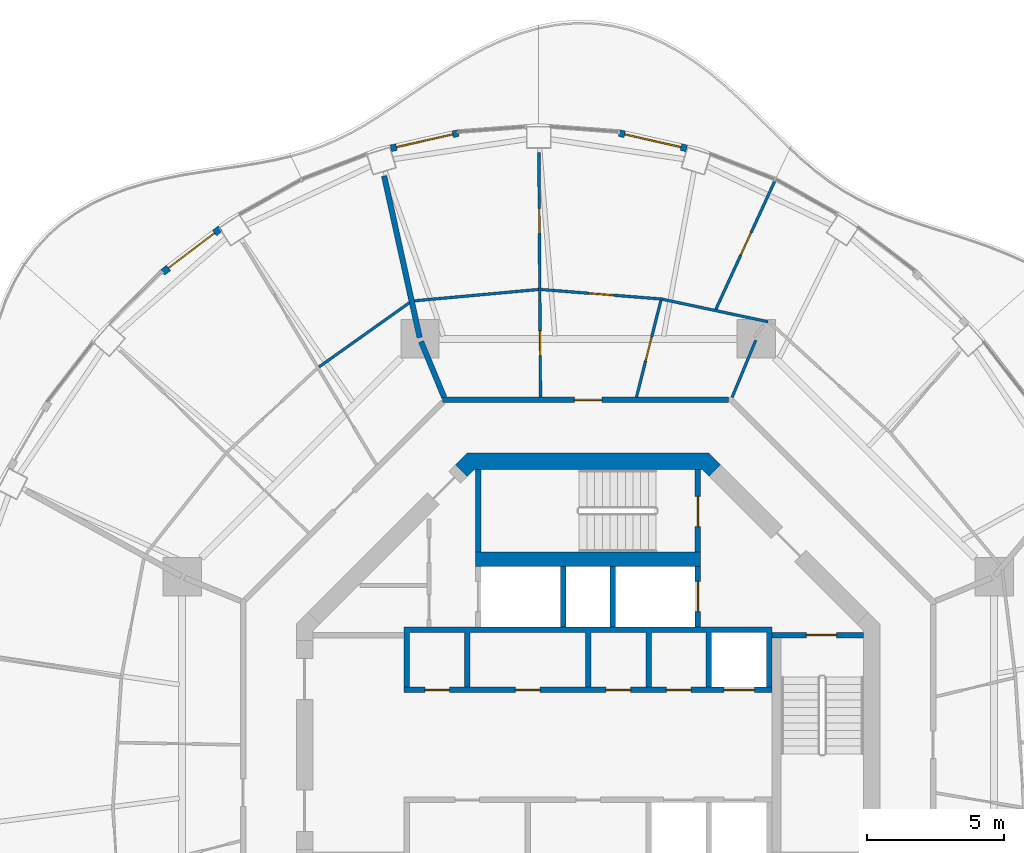
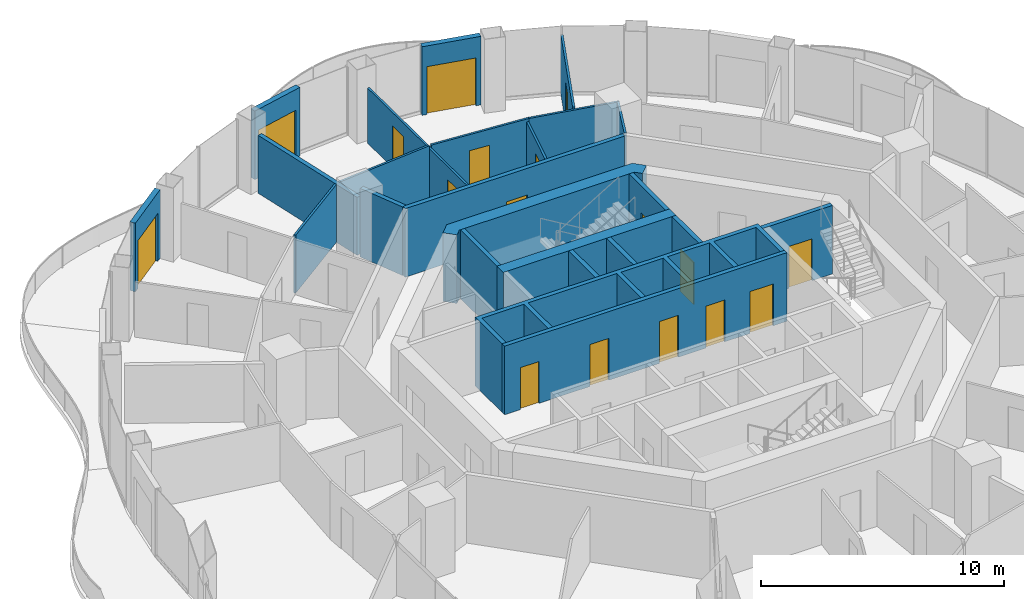
# One storey, part 13 of 17: 24 walls, 17 doors, 17 openings.
"""IFC4 building model written with IfcOpenShell, lengths in metres."""

from ifc_helpers import new_model, si_unit, direction, frame, frame_2d, origin, place, context, subcontext, project, spatial, polyline, rectangle, outline, extrude, material, layer, layer_set, type_object, element, fill, save


model = new_model("IFC4")

# Units and contexts
model_context = context("Model", 3, precision=1e-05, world=origin(), true_north=direction((0.0, 1.0)))
body_context = subcontext(model_context, "Body", "Model", "MODEL_VIEW")
ifc_project = project(units=[si_unit("LENGTHUNIT", "METRE"), si_unit("AREAUNIT", "SQUARE_METRE"), si_unit("VOLUMEUNIT", "CUBIC_METRE"), si_unit("PLANEANGLEUNIT", "RADIAN"), si_unit("MASSUNIT", "GRAM", prefix="KILO")], contexts=[model_context])

# Site, building, storey
site_placement = place(None, origin())
site = spatial("IfcSite", under=ifc_project, at=site_placement, CompositionType="ELEMENT")
building_placement = place(site_placement, origin())
building = spatial("IfcBuilding", under=site, at=building_placement, Name="Nagisa Residences", CompositionType="ELEMENT")
storey_placement = place(building_placement, frame((0.0, 0.0, 273.300048828125)))
storey = spatial("IfcBuildingStorey", under=building, at=storey_placement, Name="L69", CompositionType="ELEMENT", Elevation=273.300048828125)

# Walls
ifc_material_1 = material(Name="Gypsum board on steel studs", Category="steel")
ifc_layer_1 = layer(ifc_material_1, 0.199951171875)
ifc_layer_set_1 = layer_set([ifc_layer_1], Name="Apartment compartment wall EI60 200")
wall_type_1 = type_object("IfcWallType", Name="Apartment compartment wall EI60 200", PredefinedType="PARTITIONING", material=ifc_layer_set_1)
wall_1_placement = place(storey_placement, frame((-5.24267578125, 12.6572265625, 0.0), z_axis=(0.0, 0.0, 1.0), x_axis=(-0.38273085373, 0.923859888513, 0.0)))
element("IfcWall", 1, at=wall_1_placement, inside=storey, type_object=wall_type_1, Name="wall:L69:u02", PredefinedType="PARTITIONING", context=body_context, shape_type="SweptSolid", body=[
    extrude(rectangle(XDim=2.199462890625, YDim=0.199951171875, at=frame_2d((1.099609375, 0.0))), origin(), (0.0, 0.0, 1.0), 3.43994140625),
])
wall_2_placement = place(storey_placement, frame((-6.133544921875, 14.830810546875, 0.0), z_axis=(0.0, 0.0, 1.0), x_axis=(-0.214842475666, 0.976648714047, 0.0)))
element("IfcWall", 2, at=wall_2_placement, inside=storey, type_object=wall_type_1, Name="wall:L69:u03", PredefinedType="PARTITIONING", context=body_context, shape_type="SweptSolid", body=[
    extrude(rectangle(XDim=6.03076171875, YDim=0.199951171875, at=frame_2d((3.015380859375, 0.0))), origin(), (0.0, 0.0, 1.0), 2.905029296875),
])

# Wall, opening, door
ifc_material_2 = material(Name="Gypsum board on steel studs", Category="steel")
ifc_layer_2 = layer(ifc_material_2, 0.199951171875)
ifc_layer_set_2 = layer_set([ifc_layer_2], Name="Apartment entry wall EI60 200")
wall_type_2 = type_object("IfcWallType", Name="Apartment entry wall EI60 200", PredefinedType="PARTITIONING", material=ifc_layer_set_2)
wall_3_placement = place(storey_placement, frame((5.1044921875, 12.564697265625, 0.0), z_axis=(0.0, 0.0, 1.0), x_axis=(-1.0, 0.0, 0.0)))
wall_3 = element("IfcWall", 3, at=wall_3_placement, inside=storey, type_object=wall_type_2, Name="wall:L69:u12", PredefinedType="PARTITIONING", context=body_context, shape_type="SweptSolid", body=[
    extrude(rectangle(XDim=10.408935546875, YDim=0.199951171875, at=frame_2d((5.20458984375, 0.0))), origin(), (0.0, 0.0, 1.0), 3.43994140625),
])
opening_1_placement = place(wall_3_placement, frame((4.6044921875, 0.0, 0.0)))
opening_1 = element("IfcOpeningElement", 4, at=opening_1_placement, cuts=wall_3, Name="Opening L69-U01", PredefinedType="OPENING", context=body_context, shape_type="SweptSolid", body=[
    extrude(rectangle(XDim=1.0, YDim=2.10009765625, at=frame_2d((0.5, 1.050048828125))), frame((0.0, 0.10986328125, 0.0), z_axis=(0.0, -1.0, 0.0), x_axis=(1.0, 0.0, 0.0)), (0.0, 0.0, 1.0), 0.219970703125),
])
ifc_material_3 = material(Name="Timber fire door set", Category="wood")
door_type_1 = type_object("IfcDoorType", Name="Apartment entry door FD30S 1000x2100", OperationType="NOTDEFINED", PredefinedType="DOOR", material=ifc_material_3)
door_1_placement = place(opening_1_placement, frame((1.0, 0.0, 0.0), x_axis=(-1.0, 0.0, 0.0)))
door_1 = element("IfcDoor", 5, at=door_1_placement, inside=storey, type_object=door_type_1, Name="Entry door, Apartment 69A", OperationType="SINGLE_SWING_RIGHT", OverallHeight=2.10009765625, OverallWidth=1.0, PredefinedType="DOOR", context=body_context, shape_type="SweptSolid", body=[
    extrude(rectangle(XDim=1.0, YDim=2.10009765625, at=frame_2d((0.5, 1.050048828125))), frame((0.0, 0.02490234375, 0.0), z_axis=(0.0, -1.0, 0.0), x_axis=(1.0, 0.0, 0.0)), (0.0, 0.0, 1.0), 0.050048828125),
])
fill(opening_1, door_1)

# Walls
ifc_material_4 = material(Name="Gypsum board on steel studs", Category="steel")
ifc_layer_3 = layer(ifc_material_4, 0.10009765625)
ifc_layer_set_3 = layer_set([ifc_layer_3], Name="Apartment partition 100")
wall_type_3 = type_object("IfcWallType", Name="Apartment partition 100", PredefinedType="PARTITIONING", material=ifc_layer_set_3)
wall_4_placement = place(storey_placement, frame((5.24267578125, 12.6572265625, 0.0), z_axis=(0.0, 0.0, 1.0), x_axis=(0.382719158442, 0.923864733477, 0.0)))
element("IfcWall", 6, at=wall_4_placement, inside=storey, type_object=wall_type_3, Name="wall:L69:u27", PredefinedType="PARTITIONING", context=body_context, shape_type="SweptSolid", body=[
    extrude(rectangle(XDim=2.25, YDim=0.10009765625, at=frame_2d((1.125, 0.0))), origin(), (0.0, 0.0, 1.0), 3.43994140625),
])
wall_5_placement = place(storey_placement, frame((6.549560546875, 15.408935546875, 0.0), z_axis=(0.0, 0.0, 1.0), x_axis=(-0.978051195976, 0.208364723621, 0.0)))
element("IfcWall", 7, at=wall_5_placement, inside=storey, type_object=wall_type_3, Name="wall:L69:u28", PredefinedType="PARTITIONING", context=body_context, shape_type="SweptSolid", body=[
    extrude(rectangle(XDim=3.924072265625, YDim=0.10009765625, at=frame_2d((1.9619140625, 0.0))), origin(), (0.0, 0.0, 1.0), 2.905029296875),
])

# Wall, opening, door
wall_6_placement = place(storey_placement, frame((4.6513671875, 15.86328125, 0.0), z_axis=(0.0, 0.0, 1.0), x_axis=(0.41744196735, 0.908703584176, 0.0)))
wall_6 = element("IfcWall", 8, at=wall_6_placement, inside=storey, type_object=wall_type_3, Name="wall:L69:u29", PredefinedType="PARTITIONING", context=body_context, shape_type="SweptSolid", body=[
    extrude(rectangle(XDim=5.241943359375, YDim=0.10009765625, at=frame_2d((2.62109375, 0.0))), origin(), (0.0, 0.0, 1.0), 2.98291015625),
])
opening_2_placement = place(wall_6_placement, frame((2.1708984375, 0.0, 0.0)))
opening_2 = element("IfcOpeningElement", 9, at=opening_2_placement, cuts=wall_6, Name="Opening L69-U06", PredefinedType="OPENING", context=body_context, shape_type="SweptSolid", body=[
    extrude(rectangle(XDim=0.89990234375, YDim=2.10009765625, at=frame_2d((0.449951171875, 1.050048828125))), frame((0.0, 0.06005859375, 0.0), z_axis=(0.0, -1.0, 0.0), x_axis=(1.0, 0.0, 0.0)), (0.0, 0.0, 1.0), 0.1201171875),
])
ifc_material_5 = material(Name="Timber door set", Category="wood")
door_type_2 = type_object("IfcDoorType", Name="Apartment door 900x2100", OperationType="NOTDEFINED", PredefinedType="DOOR", material=ifc_material_5)
door_2_placement = place(opening_2_placement, frame((0.89990234375, 0.0, 0.0), x_axis=(-1.0, 0.0, 0.0)))
door_2 = element("IfcDoor", 10, at=door_2_placement, inside=storey, type_object=door_type_2, Name="Door to tatami room, Apartment 69A", OperationType="SINGLE_SWING_LEFT", OverallHeight=2.10009765625, OverallWidth=0.89990234375, PredefinedType="DOOR", context=body_context, shape_type="SweptSolid", body=[
    extrude(rectangle(XDim=0.89990234375, YDim=2.10009765625, at=frame_2d((0.449951171875, 1.050048828125))), frame((0.0, 0.02490234375, 0.0), z_axis=(0.0, -1.0, 0.0), x_axis=(1.0, 0.0, 0.0)), (0.0, 0.0, 1.0), 0.050048828125),
])
fill(opening_2, door_2)

wall_7_placement = place(storey_placement, frame((1.75927734375, 12.66162109375, 0.0), z_axis=(0.0, 0.0, 1.0), x_axis=(0.244966765147, 0.969531476525, 0.0)))
wall_7 = element("IfcWall", 11, at=wall_7_placement, inside=storey, type_object=wall_type_3, Name="wall:L69:u30", PredefinedType="PARTITIONING", context=body_context, shape_type="SweptSolid", body=[
    extrude(rectangle(XDim=3.6376953125, YDim=0.10009765625, at=frame_2d((1.81884765625, 0.0))), origin(), (0.0, 0.0, 1.0), 2.761962890625),
])
opening_3_placement = place(wall_7_placement, frame((1.368896484375, 0.0, 0.0)))
opening_3 = element("IfcOpeningElement", 12, at=opening_3_placement, cuts=wall_7, Name="Opening L69-U02", PredefinedType="OPENING", context=body_context, shape_type="SweptSolid", body=[
    extrude(rectangle(XDim=0.89990234375, YDim=2.10009765625, at=frame_2d((0.449951171875, 1.050048828125))), frame((0.0, 0.06005859375, 0.0), z_axis=(0.0, -1.0, 0.0), x_axis=(1.0, 0.0, 0.0)), (0.0, 0.0, 1.0), 0.1201171875),
])
door_3_placement = place(opening_3_placement, frame((0.89990234375, 0.0, 0.0), x_axis=(-1.0, 0.0, 0.0)))
door_3 = element("IfcDoor", 13, at=door_3_placement, inside=storey, type_object=door_type_2, Name="Door to family bathroom, Apartment 69A", OperationType="SINGLE_SWING_LEFT", OverallHeight=2.10009765625, OverallWidth=0.89990234375, PredefinedType="DOOR", context=body_context, shape_type="SweptSolid", body=[
    extrude(rectangle(XDim=0.89990234375, YDim=2.10009765625, at=frame_2d((0.449951171875, 1.050048828125))), frame((0.0, 0.02490234375, 0.0), z_axis=(0.0, -1.0, 0.0), x_axis=(1.0, 0.0, 0.0)), (0.0, 0.0, 1.0), 0.050048828125),
])
fill(opening_3, door_3)

wall_8_placement = place(storey_placement, frame((2.712646484375, 16.23291015625, 0.0), z_axis=(0.0, 0.0, 1.0), x_axis=(-0.996870142942, 0.079056423588, 0.0)))
wall_8 = element("IfcWall", 14, at=wall_8_placement, inside=storey, type_object=wall_type_3, Name="wall:L69:u31", PredefinedType="PARTITIONING", context=body_context, shape_type="SweptSolid", body=[
    extrude(rectangle(XDim=4.437744140625, YDim=0.10009765625, at=frame_2d((2.21875, 0.0))), origin(), (0.0, 0.0, 1.0), 2.905029296875),
])
opening_4_placement = place(wall_8_placement, frame((1.793701171875, 0.0, 0.0)))
opening_4 = element("IfcOpeningElement", 15, at=opening_4_placement, cuts=wall_8, Name="Opening L69-U04", PredefinedType="OPENING", context=body_context, shape_type="SweptSolid", body=[
    extrude(rectangle(XDim=0.89990234375, YDim=2.10009765625, at=frame_2d((0.449951171875, 1.050048828125))), frame((0.0, 0.06005859375, 0.0), z_axis=(0.0, -1.0, 0.0), x_axis=(1.0, 0.0, 0.0)), (0.0, 0.0, 1.0), 0.1201171875),
])
door_4_placement = place(opening_4_placement, frame((0.89990234375, 0.0, 0.0), x_axis=(-1.0, 0.0, 0.0)))
door_4 = element("IfcDoor", 16, at=door_4_placement, inside=storey, type_object=door_type_2, Name="Door to kitchen, Apartment 69A", OperationType="SINGLE_SWING_LEFT", OverallHeight=2.10009765625, OverallWidth=0.89990234375, PredefinedType="DOOR", context=body_context, shape_type="SweptSolid", body=[
    extrude(rectangle(XDim=0.89990234375, YDim=2.10009765625, at=frame_2d((0.449951171875, 1.050048828125))), frame((0.0, 0.02490234375, 0.0), z_axis=(0.0, -1.0, 0.0), x_axis=(1.0, 0.0, 0.0)), (0.0, 0.0, 1.0), 0.050048828125),
])
fill(opening_4, door_4)

# Wall, openings, doors
wall_9_placement = place(storey_placement, frame((-1.735595703125, 12.664794921875, 0.0), z_axis=(0.0, 0.0, 1.0), x_axis=(-0.00646827636, 0.999979080482, 0.0)))
wall_9 = element("IfcWall", 17, at=wall_9_placement, inside=storey, type_object=wall_type_3, Name="wall:L69:u32", PredefinedType="PARTITIONING", context=body_context, shape_type="SweptSolid", body=[
    extrude(rectangle(XDim=8.90771484375, YDim=0.10009765625, at=frame_2d((4.453857421875, 0.0))), origin(), (0.0, 0.0, 1.0), 2.761962890625),
])
opening_5_placement = place(wall_9_placement, frame((1.51171875, 0.0, 0.0)))
opening_5 = element("IfcOpeningElement", 18, at=opening_5_placement, cuts=wall_9, Name="Opening L69-U03", PredefinedType="OPENING", context=body_context, shape_type="SweptSolid", body=[
    extrude(rectangle(XDim=0.89990234375, YDim=2.10009765625, at=frame_2d((0.449951171875, 1.050048828125))), frame((0.0, 0.06005859375, 0.0), z_axis=(0.0, -1.0, 0.0), x_axis=(1.0, 0.0, 0.0)), (0.0, 0.0, 1.0), 0.1201171875),
])
opening_6_placement = place(wall_9_placement, frame((5.96533203125, 0.0, 0.0)))
opening_6 = element("IfcOpeningElement", 19, at=opening_6_placement, cuts=wall_9, Name="Opening L69-U05", PredefinedType="OPENING", context=body_context, shape_type="SweptSolid", body=[
    extrude(rectangle(XDim=0.89990234375, YDim=2.10009765625, at=frame_2d((0.449951171875, 1.050048828125))), frame((0.0, 0.06005859375, 0.0), z_axis=(0.0, -1.0, 0.0), x_axis=(1.0, 0.0, 0.0)), (0.0, 0.0, 1.0), 0.1201171875),
])
door_5_placement = place(opening_5_placement, origin())
door_5 = element("IfcDoor", 20, at=door_5_placement, inside=storey, type_object=door_type_2, Name="Door to family bathroom, Apartment 69A", OperationType="SINGLE_SWING_LEFT", OverallHeight=2.10009765625, OverallWidth=0.89990234375, PredefinedType="DOOR", context=body_context, shape_type="SweptSolid", body=[
    extrude(rectangle(XDim=0.89990234375, YDim=2.10009765625, at=frame_2d((0.449951171875, 1.050048828125))), frame((0.0, 0.02490234375, 0.0), z_axis=(0.0, -1.0, 0.0), x_axis=(1.0, 0.0, 0.0)), (0.0, 0.0, 1.0), 0.050048828125),
])
fill(opening_5, door_5)
door_6_placement = place(opening_6_placement, origin())
door_6 = element("IfcDoor", 21, at=door_6_placement, inside=storey, type_object=door_type_2, Name="Door to master bedroom, Apartment 69A", OperationType="SINGLE_SWING_LEFT", OverallHeight=2.10009765625, OverallWidth=0.89990234375, PredefinedType="DOOR", context=body_context, shape_type="SweptSolid", body=[
    extrude(rectangle(XDim=0.89990234375, YDim=2.10009765625, at=frame_2d((0.449951171875, 1.050048828125))), frame((0.0, 0.02490234375, 0.0), z_axis=(0.0, -1.0, 0.0), x_axis=(1.0, 0.0, 0.0)), (0.0, 0.0, 1.0), 0.050048828125),
])
fill(opening_6, door_6)

# Walls
wall_10_placement = place(storey_placement, frame((-1.810791015625, 16.583251953125, 0.0), z_axis=(0.0, 0.0, 1.0), x_axis=(-0.995842301034, -0.091093970555, 0.0)))
element("IfcWall", 22, at=wall_10_placement, inside=storey, type_object=wall_type_3, Name="wall:L69:u33", PredefinedType="PARTITIONING", context=body_context, shape_type="SweptSolid", body=[
    extrude(rectangle(XDim=4.53466796875, YDim=0.10009765625, at=frame_2d((2.267333984375, 0.0))), origin(), (0.0, 0.0, 1.0), 2.905029296875),
])
wall_11_placement = place(storey_placement, frame((-6.5078125, 16.10302734375, 0.0), z_axis=(0.0, 0.0, 1.0), x_axis=(-0.815202203556, -0.579176456114, 0.0)))
element("IfcWall", 23, at=wall_11_placement, inside=storey, type_object=wall_type_3, Name="wall:L69:u34", PredefinedType="PARTITIONING", context=body_context, shape_type="SweptSolid", body=[
    extrude(rectangle(XDim=4.0361328125, YDim=0.10009765625, at=frame_2d((2.01806640625, 0.0))), origin(), (0.0, 0.0, 1.0), 2.905029296875),
])

# Wall, opening, door
ifc_material_6 = material(Name="Precast concrete C40/50", Category="concrete")
ifc_layer_4 = layer(ifc_material_6, 0.25)
ifc_layer_set_4 = layer_set([ifc_layer_4], Name="BALCONY DOOR WALL 250")
wall_type_4 = type_object("IfcWallType", Name="BALCONY DOOR WALL 250", PredefinedType="SOLIDWALL", material=ifc_layer_set_4)
wall_12_placement = place(storey_placement, frame((1.125, 22.2802734375, 0.0), z_axis=(0.0, 0.0, 1.0), x_axis=(0.97531487046, -0.22081871175, 0.0)))
wall_12 = element("IfcWall", 24, at=wall_12_placement, inside=storey, type_object=wall_type_4, Name="wall:L69:bay10", PredefinedType="SOLIDWALL", context=body_context, shape_type="SweptSolid", body=[
    extrude(rectangle(XDim=2.525146484375, YDim=0.25, at=frame_2d((1.2626953125, 0.0))), origin(), (0.0, 0.0, 1.0), 3.43994140625),
])
opening_7_placement = place(wall_12_placement, frame((0.212646484375, 0.0, 0.0)))
opening_7 = element("IfcOpeningElement", 25, at=opening_7_placement, cuts=wall_12, Name="Opening BD-L69-04", PredefinedType="OPENING", context=body_context, shape_type="SweptSolid", body=[
    extrude(rectangle(XDim=2.10009765625, YDim=2.39990234375, at=frame_2d((1.050048828125, 1.199951171875))), frame((0.0, 0.135009765625, 0.0), z_axis=(0.0, -1.0, 0.0), x_axis=(1.0, 0.0, 0.0)), (0.0, 0.0, 1.0), 0.27001953125),
])
ifc_material_7 = material(Name="Aluminium and clear glass", Category="aluminium")
door_type_3 = type_object("IfcDoorType", Name="BALCONY SLIDING DOOR 2100x2400", OperationType="SLIDING_TO_LEFT", PredefinedType="DOOR", material=ifc_material_7)
door_7_placement = place(opening_7_placement, origin())
door_7 = element("IfcDoor", 26, at=door_7_placement, inside=storey, type_object=door_type_3, Name="door:L69:bay10", OperationType="SLIDING_TO_LEFT", OverallHeight=2.39990234375, OverallWidth=2.10009765625, PredefinedType="DOOR", context=body_context, shape_type="SweptSolid", body=[
    extrude(rectangle(XDim=2.10009765625, YDim=2.39990234375, at=frame_2d((1.050048828125, 1.199951171875))), frame((0.0, 0.02490234375, 0.0), z_axis=(0.0, -1.0, 0.0), x_axis=(1.0, 0.0, 0.0)), (0.0, 0.0, 1.0), 0.050048828125),
])
fill(opening_7, door_7)

wall_13_placement = place(storey_placement, frame((-7.18798828125, 21.72265625, 0.0), z_axis=(0.0, 0.0, 1.0), x_axis=(0.975319584032, 0.220797891756, 0.0)))
wall_13 = element("IfcWall", 27, at=wall_13_placement, inside=storey, type_object=wall_type_4, Name="wall:L69:bay13", PredefinedType="SOLIDWALL", context=body_context, shape_type="SweptSolid", body=[
    extrude(rectangle(XDim=2.525390625, YDim=0.25, at=frame_2d((1.2626953125, 0.0))), origin(), (0.0, 0.0, 1.0), 3.43994140625),
])
opening_8_placement = place(wall_13_placement, frame((0.212646484375, 0.0, 0.0)))
opening_8 = element("IfcOpeningElement", 28, at=opening_8_placement, cuts=wall_13, Name="Opening BD-L69-05", PredefinedType="OPENING", context=body_context, shape_type="SweptSolid", body=[
    extrude(rectangle(XDim=2.10009765625, YDim=2.39990234375, at=frame_2d((1.050048828125, 1.199951171875))), frame((0.0, 0.135009765625, 0.0), z_axis=(0.0, -1.0, 0.0), x_axis=(1.0, 0.0, 0.0)), (0.0, 0.0, 1.0), 0.27001953125),
])
door_8_placement = place(opening_8_placement, origin())
door_8 = element("IfcDoor", 29, at=door_8_placement, inside=storey, type_object=door_type_3, Name="door:L69:bay13", OperationType="SLIDING_TO_LEFT", OverallHeight=2.39990234375, OverallWidth=2.10009765625, PredefinedType="DOOR", context=body_context, shape_type="SweptSolid", body=[
    extrude(rectangle(XDim=2.10009765625, YDim=2.39990234375, at=frame_2d((1.050048828125, 1.199951171875))), frame((0.0, 0.02490234375, 0.0), z_axis=(0.0, -1.0, 0.0), x_axis=(1.0, 0.0, 0.0)), (0.0, 0.0, 1.0), 0.050048828125),
])
fill(opening_8, door_8)

wall_14_placement = place(storey_placement, frame((-15.49462890625, 17.20361328125, 0.0), z_axis=(0.0, 0.0, 1.0), x_axis=(0.796010739377, 0.605282498339, 0.0)))
wall_14 = element("IfcWall", 30, at=wall_14_placement, inside=storey, type_object=wall_type_4, Name="wall:L69:bay16", PredefinedType="SOLIDWALL", context=body_context, shape_type="SweptSolid", body=[
    extrude(rectangle(XDim=2.640625, YDim=0.25, at=frame_2d((1.3203125, 0.0))), origin(), (0.0, 0.0, 1.0), 3.43994140625),
])
opening_9_placement = place(wall_14_placement, frame((0.270263671875, 0.0, 0.0)))
opening_9 = element("IfcOpeningElement", 31, at=opening_9_placement, cuts=wall_14, Name="Opening BD-L69-06", PredefinedType="OPENING", context=body_context, shape_type="SweptSolid", body=[
    extrude(rectangle(XDim=2.10009765625, YDim=2.39990234375, at=frame_2d((1.050048828125, 1.199951171875))), frame((0.0, 0.135009765625, 0.0), z_axis=(0.0, -1.0, 0.0), x_axis=(1.0, 0.0, 0.0)), (0.0, 0.0, 1.0), 0.27001953125),
])
door_9_placement = place(opening_9_placement, origin())
door_9 = element("IfcDoor", 32, at=door_9_placement, inside=storey, type_object=door_type_3, Name="door:L69:bay16", OperationType="SLIDING_TO_LEFT", OverallHeight=2.39990234375, OverallWidth=2.10009765625, PredefinedType="DOOR", context=body_context, shape_type="SweptSolid", body=[
    extrude(rectangle(XDim=2.10009765625, YDim=2.39990234375, at=frame_2d((1.050048828125, 1.199951171875))), frame((0.0, 0.02490234375, 0.0), z_axis=(0.0, -1.0, 0.0), x_axis=(1.0, 0.0, 0.0)), (0.0, 0.0, 1.0), 0.050048828125),
])
fill(opening_9, door_9)

# Wall
ifc_material_8 = material(Name="Concrete C60", Category="concrete")
ifc_layer_5 = layer(ifc_material_8, 0.60009765625)
ifc_layer_set_5 = layer_set([ifc_layer_5], Name="Core shear wall 600")
wall_type_5 = type_object("IfcWallType", Name="Core shear wall 600", PredefinedType="SHEAR", material=ifc_layer_set_5)
wall_15_placement = place(storey_placement, origin())
element("IfcWall", 33, at=wall_15_placement, inside=storey, type_object=wall_type_5, Name="wall:L69:core:flat2", PredefinedType="SHEAR", context=body_context, shape_type="SweptSolid", body=[
    extrude(outline(polyline([(-4.15234375, 10.024658203125), (-4.40087890625, 9.776123046875), (-4.8251953125, 10.200439453125), (-4.40087890625, 10.62451171875), (4.40087890625, 10.62451171875), (4.8251953125, 10.200439453125), (4.40087890625, 9.776123046875), (4.15234375, 10.024658203125), (-4.15234375, 10.024658203125)])), origin(), (0.0, 0.0, 1.0), 3.43994140625),
])

# Wall, opening, door
ifc_material_9 = material(Name="Concrete C60", Category="concrete")
ifc_layer_6 = layer(ifc_material_9, 0.199951171875)
ifc_layer_set_6 = layer_set([ifc_layer_6], Name="Lift shaft wall 200")
wall_type_6 = type_object("IfcWallType", Name="Lift shaft wall 200", PredefinedType="SOLIDWALL", material=ifc_layer_set_6)
wall_16_placement = place(storey_placement, frame((4.0, 4.300048828125, 0.0), z_axis=(0.0, 0.0, 1.0), x_axis=(0.0, 1.0, 0.0)))
wall_16 = element("IfcWall", 34, at=wall_16_placement, inside=storey, type_object=wall_type_6, Name="wall:L69:Nb3", PredefinedType="SOLIDWALL", context=body_context, shape_type="SweptSolid", body=[
    extrude(rectangle(XDim=2.199951171875, YDim=0.199951171875, at=frame_2d((1.10009765625, 0.0))), origin(), (0.0, 0.0, 1.0), 3.43994140625),
])
opening_10_placement = place(wall_16_placement, frame((0.550048828125, 0.0, 0.0)))
opening_10 = element("IfcOpeningElement", 35, at=opening_10_placement, cuts=wall_16, Name="Opening L69-C04", PredefinedType="OPENING", context=body_context, shape_type="SweptSolid", body=[
    extrude(rectangle(XDim=1.10009765625, YDim=2.10009765625, at=frame_2d((0.550048828125, 1.050048828125))), frame((0.0, 0.10986328125, 0.0), z_axis=(0.0, -1.0, 0.0), x_axis=(1.0, 0.0, 0.0)), (0.0, 0.0, 1.0), 0.219970703125),
])
ifc_material_10 = material(Name="Stainless steel", Category="steel")
door_type_4 = type_object("IfcDoorType", Name="Lift landing door 1100x2100", OperationType="DOUBLE_DOOR_SLIDING", PredefinedType="DOOR", material=ifc_material_10)
door_10_placement = place(opening_10_placement, origin())
door_10 = element("IfcDoor", 36, at=door_10_placement, inside=storey, type_object=door_type_4, Name="Landing door FL1 L69", OperationType="DOUBLE_DOOR_SLIDING", OverallHeight=2.10009765625, OverallWidth=1.10009765625, PredefinedType="DOOR", context=body_context, shape_type="SweptSolid", body=[
    extrude(rectangle(XDim=1.10009765625, YDim=2.10009765625, at=frame_2d((0.550048828125, 1.050048828125))), frame((0.0, 0.02490234375, 0.0), z_axis=(0.0, -1.0, 0.0), x_axis=(1.0, 0.0, 0.0)), (0.0, 0.0, 1.0), 0.050048828125),
])
fill(opening_10, door_10)

# Wall, openings, doors
wall_17_placement = place(storey_placement, frame((-6.699951171875, 2.0, 0.0), z_axis=(0.0, 0.0, 1.0), x_axis=(1.0, 0.0, 0.0)))
wall_17 = element("IfcWall", 37, at=wall_17_placement, inside=storey, type_object=wall_type_6, Name="wall:L69:Nfront", PredefinedType="SOLIDWALL", context=body_context, shape_type="SweptSolid", body=[
    extrude(rectangle(XDim=13.39990234375, YDim=0.199951171875, at=frame_2d((6.699951171875, 0.0))), origin(), (0.0, 0.0, 1.0), 3.43994140625),
])
opening_11_placement = place(wall_17_placement, frame((11.64990234375, 0.0, 0.0)))
opening_11 = element("IfcOpeningElement", 38, at=opening_11_placement, cuts=wall_17, Name="Opening L69-C01", PredefinedType="OPENING", context=body_context, shape_type="SweptSolid", body=[
    extrude(rectangle(XDim=1.10009765625, YDim=2.10009765625, at=frame_2d((0.550048828125, 1.050048828125))), frame((0.0, 0.10986328125, 0.0), z_axis=(0.0, -1.0, 0.0), x_axis=(1.0, 0.0, 0.0)), (0.0, 0.0, 1.0), 0.219970703125),
])
opening_12_placement = place(wall_17_placement, frame((0.75, 0.0, 0.0)))
opening_12 = element("IfcOpeningElement", 39, at=opening_12_placement, cuts=wall_17, Name="Opening L69-C15", PredefinedType="OPENING", context=body_context, shape_type="SweptSolid", body=[
    extrude(rectangle(XDim=0.89990234375, YDim=2.10009765625, at=frame_2d((0.449951171875, 1.050048828125))), frame((0.0, 0.10986328125, 0.0), z_axis=(0.0, -1.0, 0.0), x_axis=(1.0, 0.0, 0.0)), (0.0, 0.0, 1.0), 0.219970703125),
])
opening_13_placement = place(wall_17_placement, frame((4.050048828125, 0.0, 0.0)))
opening_13 = element("IfcOpeningElement", 40, at=opening_13_placement, cuts=wall_17, Name="Opening L69-C16", PredefinedType="OPENING", context=body_context, shape_type="SweptSolid", body=[
    extrude(rectangle(XDim=0.89990234375, YDim=2.10009765625, at=frame_2d((0.449951171875, 1.050048828125))), frame((0.0, 0.10986328125, 0.0), z_axis=(0.0, -1.0, 0.0), x_axis=(1.0, 0.0, 0.0)), (0.0, 0.0, 1.0), 0.219970703125),
])
opening_14_placement = place(wall_17_placement, frame((7.35009765625, 0.0, 0.0)))
opening_14 = element("IfcOpeningElement", 41, at=opening_14_placement, cuts=wall_17, Name="Opening L69-C17", PredefinedType="OPENING", context=body_context, shape_type="SweptSolid", body=[
    extrude(rectangle(XDim=0.89990234375, YDim=2.10009765625, at=frame_2d((0.449951171875, 1.050048828125))), frame((0.0, 0.10986328125, 0.0), z_axis=(0.0, -1.0, 0.0), x_axis=(1.0, 0.0, 0.0)), (0.0, 0.0, 1.0), 0.219970703125),
])
opening_15_placement = place(wall_17_placement, frame((9.550048828125, 0.0, 0.0)))
opening_15 = element("IfcOpeningElement", 42, at=opening_15_placement, cuts=wall_17, Name="Opening L69-C18", PredefinedType="OPENING", context=body_context, shape_type="SweptSolid", body=[
    extrude(rectangle(XDim=0.89990234375, YDim=2.10009765625, at=frame_2d((0.449951171875, 1.050048828125))), frame((0.0, 0.10986328125, 0.0), z_axis=(0.0, -1.0, 0.0), x_axis=(1.0, 0.0, 0.0)), (0.0, 0.0, 1.0), 0.219970703125),
])
ifc_material_11 = material(Name="Steel fire door", Category="steel")
door_type_5 = type_object("IfcDoorType", Name="Fire door EI30 900x2100 single swing", OperationType="NOTDEFINED", PredefinedType="DOOR", material=ifc_material_11)
door_11_placement = place(opening_12_placement, origin())
door_11 = element("IfcDoor", 43, at=door_11_placement, inside=storey, type_object=door_type_5, Name="Stationery store door L69", OperationType="SINGLE_SWING_LEFT", OverallHeight=2.10009765625, OverallWidth=0.89990234375, PredefinedType="DOOR", context=body_context, shape_type="SweptSolid", body=[
    extrude(rectangle(XDim=0.89990234375, YDim=2.10009765625, at=frame_2d((0.449951171875, 1.050048828125))), frame((0.0, 0.02490234375, 0.0), z_axis=(0.0, -1.0, 0.0), x_axis=(1.0, 0.0, 0.0)), (0.0, 0.0, 1.0), 0.050048828125),
])
fill(opening_12, door_11)
door_12_placement = place(opening_13_placement, origin())
door_12 = element("IfcDoor", 44, at=door_12_placement, inside=storey, type_object=door_type_5, Name="Wine store door L69", OperationType="SINGLE_SWING_LEFT", OverallHeight=2.10009765625, OverallWidth=0.89990234375, PredefinedType="DOOR", context=body_context, shape_type="SweptSolid", body=[
    extrude(rectangle(XDim=0.89990234375, YDim=2.10009765625, at=frame_2d((0.449951171875, 1.050048828125))), frame((0.0, 0.02490234375, 0.0), z_axis=(0.0, -1.0, 0.0), x_axis=(1.0, 0.0, 0.0)), (0.0, 0.0, 1.0), 0.050048828125),
])
fill(opening_13, door_12)
door_13_placement = place(opening_14_placement, origin())
door_13 = element("IfcDoor", 45, at=door_13_placement, inside=storey, type_object=door_type_5, Name="Package room door L69", OperationType="SINGLE_SWING_LEFT", OverallHeight=2.10009765625, OverallWidth=0.89990234375, PredefinedType="DOOR", context=body_context, shape_type="SweptSolid", body=[
    extrude(rectangle(XDim=0.89990234375, YDim=2.10009765625, at=frame_2d((0.449951171875, 1.050048828125))), frame((0.0, 0.02490234375, 0.0), z_axis=(0.0, -1.0, 0.0), x_axis=(1.0, 0.0, 0.0)), (0.0, 0.0, 1.0), 0.050048828125),
])
fill(opening_14, door_13)
door_14_placement = place(opening_15_placement, origin())
door_14 = element("IfcDoor", 46, at=door_14_placement, inside=storey, type_object=door_type_5, Name="Linen store door L69", OperationType="SINGLE_SWING_RIGHT", OverallHeight=2.10009765625, OverallWidth=0.89990234375, PredefinedType="DOOR", context=body_context, shape_type="SweptSolid", body=[
    extrude(rectangle(XDim=0.89990234375, YDim=2.10009765625, at=frame_2d((0.449951171875, 1.050048828125))), frame((0.0, 0.02490234375, 0.0), z_axis=(0.0, -1.0, 0.0), x_axis=(1.0, 0.0, 0.0)), (0.0, 0.0, 1.0), 0.050048828125),
])
fill(opening_15, door_14)
door_15_placement = place(opening_11_placement, origin())
door_15 = element("IfcDoor", 47, at=door_15_placement, inside=storey, type_object=door_type_4, Name="Landing door C1 L69", OperationType="DOUBLE_DOOR_SLIDING", OverallHeight=2.10009765625, OverallWidth=1.10009765625, PredefinedType="DOOR", context=body_context, shape_type="SweptSolid", body=[
    extrude(rectangle(XDim=1.10009765625, YDim=2.10009765625, at=frame_2d((0.550048828125, 1.050048828125))), frame((0.0, 0.02490234375, 0.0), z_axis=(0.0, -1.0, 0.0), x_axis=(1.0, 0.0, 0.0)), (0.0, 0.0, 1.0), 0.050048828125),
])
fill(opening_11, door_15)

# Walls
for number, where, z_axis, x_axis, name in (
    (48, (-0.89990234375, 4.300048828125, 0.0), (0.0, 0.0, 1.0), (0.0, 1.0, 0.0), "wall:L69:Nb1"),
    (49, (0.89990234375, 4.300048828125, 0.0), (0.0, 0.0, 1.0), (0.0, 1.0, 0.0), "wall:L69:Nb2"),
):
    element("IfcWall", number, at=place(storey_placement, frame(where, z_axis=z_axis, x_axis=x_axis)), inside=storey, type_object=wall_type_6, Name=name, PredefinedType="SOLIDWALL", context=body_context, shape_type="SweptSolid", body=[
        extrude(rectangle(XDim=2.199951171875, YDim=0.199951171875, at=frame_2d((1.10009765625, 0.0))), origin(), (0.0, 0.0, 1.0), 3.43994140625),
    ])
wall_18_placement = place(storey_placement, origin())
element("IfcWall", 50, at=wall_18_placement, inside=storey, type_object=wall_type_6, Name="wall:L69:Nback", PredefinedType="SOLIDWALL", context=body_context, shape_type="SweptSolid", body=[
    extrude(outline(polyline([(-6.699951171875, 4.300048828125), (6.699951171875, 4.300048828125), (6.699951171875, 2.10009765625), (6.5, 2.10009765625), (6.5, 4.10009765625), (4.5, 4.10009765625), (4.5, 2.10009765625), (4.300048828125, 2.10009765625), (4.300048828125, 4.10009765625), (2.300048828125, 4.10009765625), (2.300048828125, 2.10009765625), (2.10009765625, 2.10009765625), (2.10009765625, 4.10009765625), (0.10009765625, 4.10009765625), (0.10009765625, 2.10009765625), (-0.10009765625, 2.10009765625), (-0.10009765625, 4.10009765625), (-4.300048828125, 4.10009765625), (-4.300048828125, 2.10009765625), (-4.5, 2.10009765625), (-4.5, 4.10009765625), (-6.5, 4.10009765625), (-6.5, 2.10009765625), (-6.699951171875, 2.10009765625), (-6.699951171875, 4.300048828125)])), origin(), (0.0, 0.0, 1.0), 3.43994140625),
])

# Wall, opening, door
ifc_material_12 = material(Name="Concrete C60", Category="concrete")
ifc_layer_7 = layer(ifc_material_12, 0.199951171875)
ifc_layer_set_7 = layer_set([ifc_layer_7], Name="Stair enclosure wall 200")
wall_type_7 = type_object("IfcWallType", Name="Stair enclosure wall 200", PredefinedType="SOLIDWALL", material=ifc_layer_set_7)
wall_19_placement = place(storey_placement, frame((6.699951171875, 4.0, 0.0), z_axis=(0.0, 0.0, 1.0), x_axis=(1.0, 0.0, 0.0)))
wall_19 = element("IfcWall", 51, at=wall_19_placement, inside=storey, type_object=wall_type_7, Name="wall:L69:SE_n", PredefinedType="SOLIDWALL", context=body_context, shape_type="SweptSolid", body=[
    extrude(rectangle(XDim=3.32470703125, YDim=0.199951171875, at=frame_2d((1.662353515625, 0.0))), origin(), (0.0, 0.0, 1.0), 3.43994140625),
])
opening_16_placement = place(wall_19_placement, frame((1.25, 0.0, 0.0)))
opening_16 = element("IfcOpeningElement", 52, at=opening_16_placement, cuts=wall_19, Name="Opening L69-C07", PredefinedType="OPENING", context=body_context, shape_type="SweptSolid", body=[
    extrude(rectangle(XDim=1.10009765625, YDim=2.10009765625, at=frame_2d((0.550048828125, 1.050048828125))), frame((0.0, 0.10986328125, 0.0), z_axis=(0.0, -1.0, 0.0), x_axis=(1.0, 0.0, 0.0)), (0.0, 0.0, 1.0), 0.219970703125),
])
ifc_material_13 = material(Name="Steel fire door", Category="steel")
door_type_6 = type_object("IfcDoorType", Name="Fire door EI90 1100x2100 single swing", OperationType="NOTDEFINED", PredefinedType="DOOR", material=ifc_material_13)
door_16_placement = place(opening_16_placement, frame((1.10009765625, 0.0, 0.0), x_axis=(-1.0, 0.0, 0.0)))
door_16 = element("IfcDoor", 53, at=door_16_placement, inside=storey, type_object=door_type_6, Name="Stair door ST-E L69", OperationType="SINGLE_SWING_RIGHT", OverallHeight=2.10009765625, OverallWidth=1.10009765625, PredefinedType="DOOR", context=body_context, shape_type="SweptSolid", body=[
    extrude(rectangle(XDim=1.10009765625, YDim=2.10009765625, at=frame_2d((0.550048828125, 1.050048828125))), frame((0.0, 0.02490234375, 0.0), z_axis=(0.0, -1.0, 0.0), x_axis=(1.0, 0.0, 0.0)), (0.0, 0.0, 1.0), 0.050048828125),
])
fill(opening_16, door_16)

wall_20_placement = place(storey_placement, frame((4.0, 7.024658203125, 0.0), z_axis=(0.0, 0.0, 1.0), x_axis=(0.0, 1.0, 0.0)))
wall_20 = element("IfcWall", 54, at=wall_20_placement, inside=storey, type_object=wall_type_7, Name="wall:L69:SN_e", PredefinedType="SOLIDWALL", context=body_context, shape_type="SweptSolid", body=[
    extrude(rectangle(XDim=3.0, YDim=0.199951171875, at=frame_2d((1.5, 0.0))), origin(), (0.0, 0.0, 1.0), 3.43994140625),
])
opening_17_placement = place(wall_20_placement, frame((0.92529296875, 0.0, 0.0)))
opening_17 = element("IfcOpeningElement", 55, at=opening_17_placement, cuts=wall_20, Name="Opening L69-C08", PredefinedType="OPENING", context=body_context, shape_type="SweptSolid", body=[
    extrude(rectangle(XDim=1.10009765625, YDim=2.10009765625, at=frame_2d((0.550048828125, 1.050048828125))), frame((0.0, 0.10986328125, 0.0), z_axis=(0.0, -1.0, 0.0), x_axis=(1.0, 0.0, 0.0)), (0.0, 0.0, 1.0), 0.219970703125),
])
door_17_placement = place(opening_17_placement, origin())
door_17 = element("IfcDoor", 56, at=door_17_placement, inside=storey, type_object=door_type_6, Name="Stair door ST-N L69", OperationType="SINGLE_SWING_LEFT", OverallHeight=2.10009765625, OverallWidth=1.10009765625, PredefinedType="DOOR", context=body_context, shape_type="SweptSolid", body=[
    extrude(rectangle(XDim=1.10009765625, YDim=2.10009765625, at=frame_2d((0.550048828125, 1.050048828125))), frame((0.0, 0.02490234375, 0.0), z_axis=(0.0, -1.0, 0.0), x_axis=(1.0, 0.0, 0.0)), (0.0, 0.0, 1.0), 0.050048828125),
])
fill(opening_17, door_17)

# Walls
wall_21_placement = place(storey_placement, origin())
element("IfcWall", 57, at=wall_21_placement, inside=storey, type_object=wall_type_7, Name="wall:L69:SN_w", PredefinedType="SOLIDWALL", context=body_context, shape_type="SweptSolid", body=[
    extrude(outline(polyline([(-3.89990234375, 7.024658203125), (-4.10009765625, 7.024658203125), (-4.10009765625, 10.024658203125), (-3.89990234375, 10.024658203125), (-3.89990234375, 7.024658203125)])), origin(), (0.0, 0.0, 1.0), 3.43994140625),
])
wall_22_placement = place(storey_placement, origin())
element("IfcWall", 58, at=wall_22_placement, inside=storey, type_object=wall_type_7, Name="wall:L69:SN_s", PredefinedType="SOLIDWALL", context=body_context, shape_type="SweptSolid", body=[
    extrude(outline(polyline([(4.10009765625, 6.5), (-4.10009765625, 6.5), (-4.10009765625, 7.024658203125), (4.10009765625, 7.024658203125), (4.10009765625, 6.5)])), origin(), (0.0, 0.0, 1.0), 3.43994140625),
])

save(model, "model.ifc")
